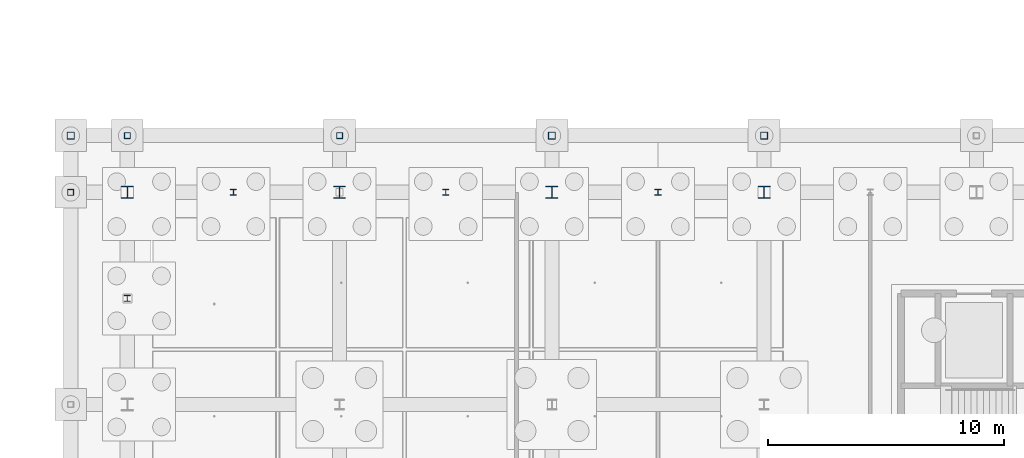
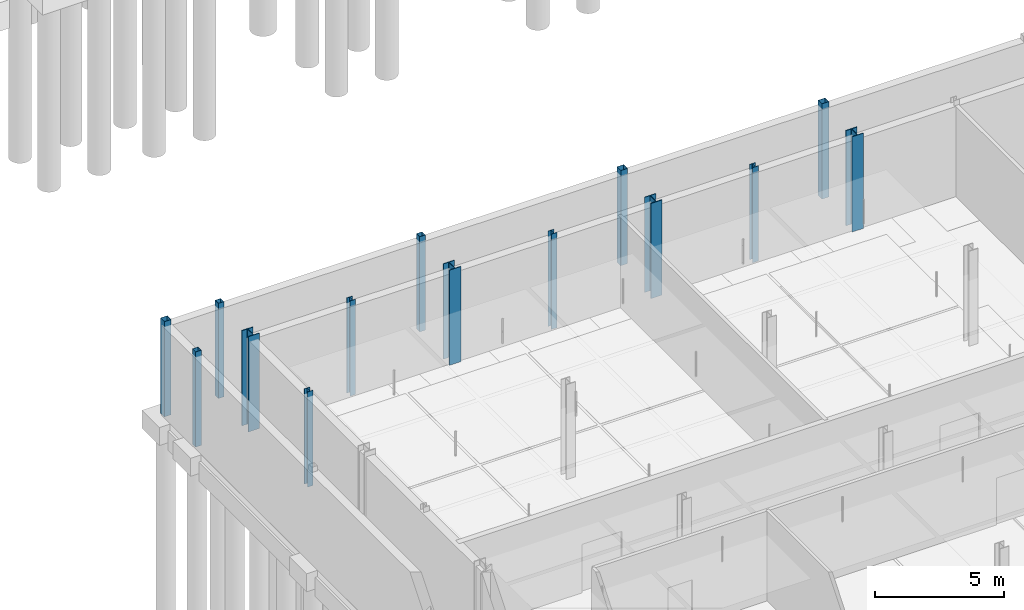
# One storey, part 9 of 48: 14 columns.
"""IFC4 building model written with IfcOpenShell, lengths in metres."""

from ifc_helpers import new_model, si_unit, direction, frame, origin, origin_2d, place, context, subcontext, project, spatial, hollow_rectangle, i_section, extrude, material, material_profile, profile_set, type_object, element, save


model = new_model("IFC4")

# Units and contexts
model_context = context("Model", 3, precision=1e-05, world=origin(), true_north=direction((0.0, 1.0)))
body_context = subcontext(model_context, "Body", "Model", "MODEL_VIEW")
ifc_project = project(units=[si_unit("LENGTHUNIT", "METRE"), si_unit("AREAUNIT", "SQUARE_METRE"), si_unit("VOLUMEUNIT", "CUBIC_METRE"), si_unit("PLANEANGLEUNIT", "RADIAN"), si_unit("MASSUNIT", "GRAM", prefix="KILO"), si_unit("THERMODYNAMICTEMPERATUREUNIT", "KELVIN"), si_unit("POWERUNIT", "WATT")], contexts=[model_context])

# Site, building, storey
site_placement = place(None, origin())
site = spatial("IfcSite", under=ifc_project, at=site_placement, CompositionType="ELEMENT")
building_placement = place(site_placement, origin())
building = spatial("IfcBuilding", under=site, at=building_placement, Name="Tallowbark Science Centre", CompositionType="ELEMENT")
storey_placement = place(building_placement, frame((0.0, 0.0, -4.5)))
storey = spatial("IfcBuildingStorey", under=building, at=storey_placement, Name="B1", CompositionType="ELEMENT", Elevation=-4.5)

# Columns
ifc_material_1 = material(Name="White Architectural Painted Steel Grade C350L0 (350 MPa)", Category="steel")
ifc_material_profile_1 = material_profile(ifc_material_1, hollow_rectangle(XDim=0.25, YDim=0.25, WallThickness=0.009033203125, at=origin_2d()), Name="250x250x9.0SHS")
ifc_profile_set_1 = profile_set([ifc_material_profile_1], Name="White Architectural Painted Steel Grade C350L0 (350 MPa)")
column_type_1 = type_object("IfcColumnType", Name="COL-SCR200", PredefinedType="COLUMN", material=ifc_profile_set_1)
for number, where, z_axis, x_axis, name in (
    (1, (58.5, 42.89990234375, 0.0), (0.0, 0.0, 1.0), (1.0, 0.0, 0.0), "Column SCR-N01 B1"),
    (2, (67.5, 42.89990234375, 0.0), (0.0, 0.0, 1.0), (1.0, 0.0, 0.0), "Column SCR-N02 B1"),
    (3, (56.10009765625, 40.5, 0.0), (0.0, 0.0, 1.0), (1.0, 0.0, 0.0), "Column SCR-W05 B1"),
):
    element("IfcColumn", number, at=place(storey_placement, frame(where, z_axis=z_axis, x_axis=x_axis)), inside=storey, type_object=column_type_1, Name=name, PredefinedType="COLUMN", context=body_context, shape_type="SweptSolid", body=[
        extrude(hollow_rectangle(XDim=0.25, YDim=0.25, WallThickness=0.009033203125, at=origin_2d()), origin(), (0.0, 0.0, 1.0), 4.5),
    ])
ifc_material_profile_2 = material_profile(ifc_material_1, hollow_rectangle(XDim=0.300048828125, YDim=0.300048828125, WallThickness=0.010009765625, at=origin_2d()), Name="300x300x10.0SHS")
ifc_profile_set_2 = profile_set([ifc_material_profile_2], Name="White Architectural Painted Steel Grade C350L0 (350 MPa)")
column_type_2 = type_object("IfcColumnType", Name="COL-SCR300", PredefinedType="COLUMN", material=ifc_profile_set_2)
for number, where, z_axis, x_axis, name in (
    (4, (56.10009765625, 42.89990234375, 0.0), (0.0, 0.0, 1.0), (1.0, 0.0, 0.0), "Column SCR-N00 B1"),
    (5, (76.5, 42.89990234375, 0.0), (0.0, 0.0, 1.0), (1.0, 0.0, 0.0), "Column SCR-N03 B1"),
    (6, (85.5, 42.89990234375, 0.0), (0.0, 0.0, 1.0), (1.0, 0.0, 0.0), "Column SCR-N04 B1"),
):
    element("IfcColumn", number, at=place(storey_placement, frame(where, z_axis=z_axis, x_axis=x_axis)), inside=storey, type_object=column_type_2, Name=name, PredefinedType="COLUMN", context=body_context, shape_type="SweptSolid", body=[
        extrude(hollow_rectangle(XDim=0.300048828125, YDim=0.300048828125, WallThickness=0.010009765625, at=origin_2d()), origin(), (0.0, 0.0, 1.0), 4.5),
    ])
ifc_material_2 = material(Name="Structural Steel Grade 300PLUS (300 MPa)", Category="steel")
ifc_material_profile_3 = material_profile(ifc_material_2, i_section(OverallWidth=0.5, OverallDepth=0.513916015625, WebThickness=0.02197265625, FlangeThickness=0.031982421875, FilletRadius=0.01611328125, at=origin_2d()), Name="500WC340")
ifc_profile_set_3 = profile_set([ifc_material_profile_3], Name="Structural Steel Grade 300PLUS (300 MPa)")
column_type_3 = type_object("IfcColumnType", Name="COL-WC500", PredefinedType="COLUMN", material=ifc_profile_set_3)
for number, where, z_axis, x_axis, name in (
    (7, (58.5, 40.5, 0.0), (0.0, 0.0, 1.0), (1.0, 0.0, 0.0), "Column CUB-M0_4 B1"),
    (8, (67.5, 40.5, 0.0), (0.0, 0.0, 1.0), (1.0, 0.0, 0.0), "Column CUB-M1_4 B1"),
    (9, (76.5, 40.5, 0.0), (0.0, 0.0, 1.0), (1.0, 0.0, 0.0), "Column CUB-M2_4 B1"),
    (10, (85.5, 40.5, 0.0), (0.0, 0.0, 1.0), (1.0, 0.0, 0.0), "Column CUB-M3_4 B1"),
):
    element("IfcColumn", number, at=place(storey_placement, frame(where, z_axis=z_axis, x_axis=x_axis)), inside=storey, type_object=column_type_3, Name=name, PredefinedType="COLUMN", context=body_context, shape_type="SweptSolid", body=[
        extrude(i_section(OverallWidth=0.5, OverallDepth=0.513916015625, WebThickness=0.02197265625, FlangeThickness=0.031982421875, FilletRadius=0.01611328125, at=origin_2d()), origin(), (0.0, 0.0, 1.0), 4.5),
    ])
ifc_material_profile_4 = material_profile(ifc_material_2, i_section(OverallWidth=0.256103515625, OverallDepth=0.260009765625, WebThickness=0.010498046875, FlangeThickness=0.017333984375, FilletRadius=0.013916015625, at=origin_2d()), Name="250UC89.5")
ifc_profile_set_4 = profile_set([ifc_material_profile_4], Name="Structural Steel Grade 300PLUS (300 MPa)")
column_type_4 = type_object("IfcColumnType", Name="PIL-UC250", PredefinedType="PILASTER", material=ifc_profile_set_4)
for number, where, z_axis, x_axis, name in (
    (11, (63.0, 40.5, 0.0), (0.0, 0.0, 1.0), (1.0, 0.0, 0.0), "Column CUB-PN-0 B1"),
    (12, (72.0, 40.5, 0.0), (0.0, 0.0, 1.0), (1.0, 0.0, 0.0), "Column CUB-PN-1 B1"),
    (13, (81.0, 40.5, 0.0), (0.0, 0.0, 1.0), (1.0, 0.0, 0.0), "Column CUB-PN-2 B1"),
    (14, (58.5, 36.0, 0.0), (0.0, 0.0, 1.0), (1.0, 0.0, 0.0), "Column CUB-PW-3 B1"),
):
    element("IfcColumn", number, at=place(storey_placement, frame(where, z_axis=z_axis, x_axis=x_axis)), inside=storey, type_object=column_type_4, Name=name, PredefinedType="PILASTER", context=body_context, shape_type="SweptSolid", body=[
        extrude(i_section(OverallWidth=0.256103515625, OverallDepth=0.260009765625, WebThickness=0.010498046875, FlangeThickness=0.017333984375, FilletRadius=0.013916015625, at=origin_2d()), origin(), (0.0, 0.0, 1.0), 4.5),
    ])

save(model, "model.ifc")
